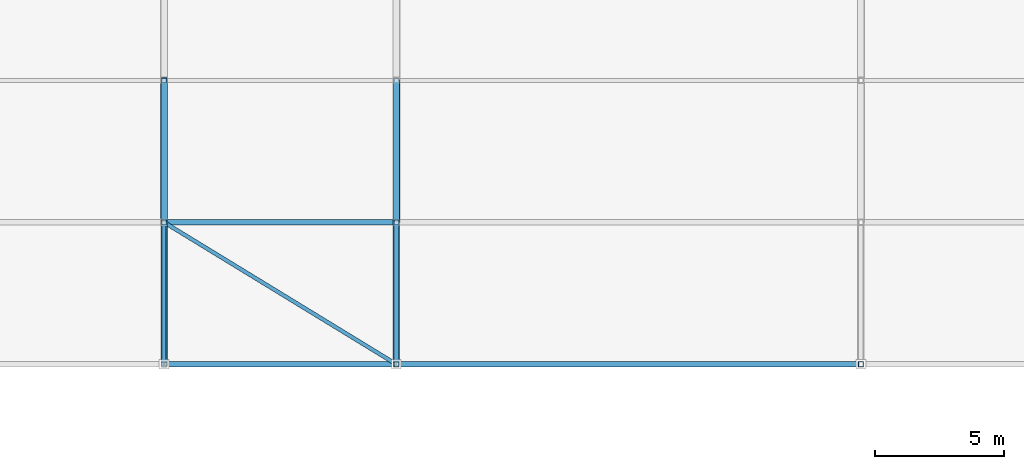
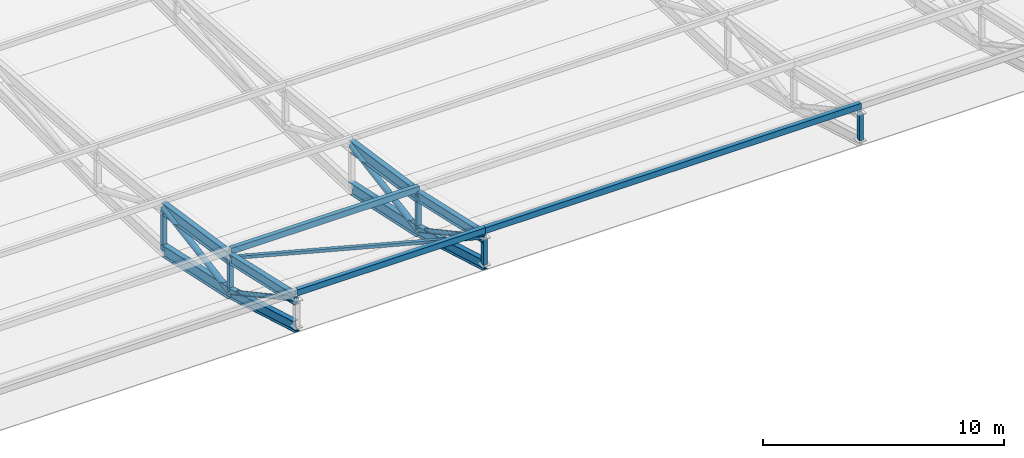
# One storey, part 36 of 114: 13 members, 8 beams.
"""IFC4 building model written with IfcOpenShell, lengths in metres."""

from ifc_helpers import new_model, si_unit, direction, frame, origin, origin_2d, place, context, subcontext, project, spatial, hollow_rectangle, hollow_circle, i_section, extrude, material, material_profile, profile_set, type_object, element, save


model = new_model("IFC4")

# Units and contexts
model_context = context("Model", 3, precision=1e-05, world=origin(), true_north=direction((0.0, 1.0)))
body_context = subcontext(model_context, "Body", "Model", "MODEL_VIEW")
ifc_project = project(units=[si_unit("LENGTHUNIT", "METRE"), si_unit("AREAUNIT", "SQUARE_METRE"), si_unit("VOLUMEUNIT", "CUBIC_METRE"), si_unit("PLANEANGLEUNIT", "RADIAN"), si_unit("MASSUNIT", "GRAM", prefix="KILO"), si_unit("THERMODYNAMICTEMPERATUREUNIT", "KELVIN"), si_unit("POWERUNIT", "WATT")], contexts=[model_context])

# Site, building, storey
site_placement = place(None, origin())
site = spatial("IfcSite", under=ifc_project, at=site_placement, CompositionType="ELEMENT")
building_placement = place(site_placement, origin())
building = spatial("IfcBuilding", under=site, at=building_placement, Name="Sindhuravela Promenade Stadium", CompositionType="ELEMENT")
storey_placement = place(building_placement, frame((0.0, 0.0, 24.0)))
storey = spatial("IfcBuildingStorey", under=building, at=storey_placement, Name="L05", CompositionType="ELEMENT", Elevation=24.0)

# Beams
ifc_material = material(Name="Steel E350 (IS 2062 E350BR)", Category="steel")
ifc_material_profile_1 = material_profile(ifc_material, i_section(OverallWidth=0.25, OverallDepth=0.5, WebThickness=0.010009765625, FlangeThickness=0.0146484375, FilletRadius=0.014892578125, at=origin_2d()), Name="ISWB 500")
ifc_profile_set_1 = profile_set([ifc_material_profile_1], Name="Steel E350 (IS 2062 E350BR)")
beam_type_1 = type_object("IfcBeamType", Name="ST-BM-WB500", PredefinedType="USERDEFINED", material=ifc_profile_set_1)
beam_1_placement = place(storey_placement, frame((99.0, 124.0, 3.169189453125), z_axis=(0.0, -0.9758669805330386, 0.2183658313595103), x_axis=(1.0, 0.0, 0.0)))
element("IfcBeam", 1, at=beam_1_placement, inside=storey, type_object=beam_type_1, Name="Roof truss RT-N04 top chord 5", ObjectType="ROOF TRUSS", PredefinedType="USERDEFINED", context=body_context, shape_type="SweptSolid", body=[
    extrude(i_section(OverallWidth=0.25, OverallDepth=0.5, WebThickness=0.010009765625, FlangeThickness=0.0146484375, FilletRadius=0.014892578125, at=origin_2d()), origin(), (0.0, 0.0, 1.0), 5.635986328125),
])
beam_2_placement = place(storey_placement, frame((99.0, 124.0, 1.419189453125), z_axis=(0.0, -0.9599274278129861, 0.28024869907342015), x_axis=(1.0, 0.0, 0.0)))
element("IfcBeam", 2, at=beam_2_placement, inside=storey, type_object=beam_type_1, Name="Roof truss RT-N04 bottom chord 5", ObjectType="ROOF TRUSS", PredefinedType="USERDEFINED", context=body_context, shape_type="SweptSolid", body=[
    extrude(i_section(OverallWidth=0.25, OverallDepth=0.5, WebThickness=0.010009765625, FlangeThickness=0.0146484375, FilletRadius=0.014892578125, at=origin_2d()), origin(), (0.0, 0.0, 1.0), 5.7294921875),
])
beam_3_placement = place(storey_placement, frame((108.0, 124.0, 3.169189453125), z_axis=(0.0, -0.9758669805330386, 0.2183658313595103), x_axis=(1.0, 0.0, 0.0)))
element("IfcBeam", 3, at=beam_3_placement, inside=storey, type_object=beam_type_1, Name="Roof truss RT-N05 top chord 5", ObjectType="ROOF TRUSS", PredefinedType="USERDEFINED", context=body_context, shape_type="SweptSolid", body=[
    extrude(i_section(OverallWidth=0.25, OverallDepth=0.5, WebThickness=0.010009765625, FlangeThickness=0.0146484375, FilletRadius=0.014892578125, at=origin_2d()), origin(), (0.0, 0.0, 1.0), 5.635986328125),
])
beam_4_placement = place(storey_placement, frame((108.0, 124.0, 1.419189453125), z_axis=(0.0, -0.9599274278129861, 0.28024869907342015), x_axis=(1.0, 0.0, 0.0)))
element("IfcBeam", 4, at=beam_4_placement, inside=storey, type_object=beam_type_1, Name="Roof truss RT-N05 bottom chord 5", ObjectType="ROOF TRUSS", PredefinedType="USERDEFINED", context=body_context, shape_type="SweptSolid", body=[
    extrude(i_section(OverallWidth=0.25, OverallDepth=0.5, WebThickness=0.010009765625, FlangeThickness=0.0146484375, FilletRadius=0.014892578125, at=origin_2d()), origin(), (0.0, 0.0, 1.0), 5.7294921875),
])
ifc_material_profile_2 = material_profile(ifc_material, i_section(OverallWidth=0.25, OverallDepth=0.60009765625, WebThickness=0.01171875, FlangeThickness=0.023681640625, FilletRadius=0.01708984375, at=origin_2d()), Name="ISWB 600")
ifc_profile_set_2 = profile_set([ifc_material_profile_2], Name="Steel E350 (IS 2062 E350BR)")
beam_type_2 = type_object("IfcBeamType", Name="ST-BM-WB600", PredefinedType="USERDEFINED", material=ifc_profile_set_2)
beam_5_placement = place(storey_placement, frame((99.0, 129.5, 2.3525390625), z_axis=(0.0, -0.9891555530237203, 0.14687168523012892), x_axis=(1.0, 0.0, 0.0)))
element("IfcBeam", 5, at=beam_5_placement, inside=storey, type_object=beam_type_2, Name="Roof truss RT-N04 top chord 4", ObjectType="ROOF TRUSS", PredefinedType="USERDEFINED", context=body_context, shape_type="SweptSolid", body=[
    extrude(i_section(OverallWidth=0.25, OverallDepth=0.60009765625, WebThickness=0.01171875, FlangeThickness=0.023681640625, FilletRadius=0.01708984375, at=origin_2d()), origin(), (0.0, 0.0, 1.0), 5.560302734375),
])
beam_6_placement = place(storey_placement, frame((99.0, 129.5, 0.2275390625), z_axis=(0.0, -0.9773237385626684, 0.21175058451368894), x_axis=(1.0, 0.0, 0.0)))
element("IfcBeam", 6, at=beam_6_placement, inside=storey, type_object=beam_type_2, Name="Roof truss RT-N04 bottom chord 4", ObjectType="ROOF TRUSS", PredefinedType="USERDEFINED", context=body_context, shape_type="SweptSolid", body=[
    extrude(i_section(OverallWidth=0.25, OverallDepth=0.60009765625, WebThickness=0.01171875, FlangeThickness=0.023681640625, FilletRadius=0.01708984375, at=origin_2d()), origin(), (0.0, 0.0, 1.0), 5.627685546875),
])
beam_7_placement = place(storey_placement, frame((108.0, 129.5, 2.3525390625), z_axis=(0.0, -0.9891555530237203, 0.14687168523012892), x_axis=(1.0, 0.0, 0.0)))
element("IfcBeam", 7, at=beam_7_placement, inside=storey, type_object=beam_type_2, Name="Roof truss RT-N05 top chord 4", ObjectType="ROOF TRUSS", PredefinedType="USERDEFINED", context=body_context, shape_type="SweptSolid", body=[
    extrude(i_section(OverallWidth=0.25, OverallDepth=0.60009765625, WebThickness=0.01171875, FlangeThickness=0.023681640625, FilletRadius=0.01708984375, at=origin_2d()), origin(), (0.0, 0.0, 1.0), 5.560302734375),
])
beam_8_placement = place(storey_placement, frame((108.0, 129.5, 0.2275390625), z_axis=(0.0, -0.9773237385626684, 0.21175058451368894), x_axis=(1.0, 0.0, 0.0)))
element("IfcBeam", 8, at=beam_8_placement, inside=storey, type_object=beam_type_2, Name="Roof truss RT-N05 bottom chord 4", ObjectType="ROOF TRUSS", PredefinedType="USERDEFINED", context=body_context, shape_type="SweptSolid", body=[
    extrude(i_section(OverallWidth=0.25, OverallDepth=0.60009765625, WebThickness=0.01171875, FlangeThickness=0.023681640625, FilletRadius=0.01708984375, at=origin_2d()), origin(), (0.0, 0.0, 1.0), 5.627685546875),
])

# Members
ifc_material_profile_3 = material_profile(ifc_material, hollow_circle(Radius=0.109619140625, WallThickness=0.010009765625, at=origin_2d()), Name="CHS 219.1x10")
ifc_profile_set_3 = profile_set([ifc_material_profile_3], Name="Steel E350 (IS 2062 E350BR)")
member_type_1 = type_object("IfcMemberType", Name="ST-MB-CHS219", PredefinedType="BRACE", material=ifc_profile_set_3)
for number, where, z_axis, x_axis, name in (
    (9, (99.0, 124.0, 1.419189453125), (0.0, -0.8791884339384995, 0.47647423605979855), (1.0, 0.0, 0.0), "Roof truss RT-N04 diagonal web 5"),
    (10, (108.0, 124.0, 1.419189453125), (0.0, -0.8791884339384995, 0.47647423605979855), (1.0, 0.0, 0.0), "Roof truss RT-N05 diagonal web 5"),
):
    element("IfcMember", number, at=place(storey_placement, frame(where, z_axis=z_axis, x_axis=x_axis)), inside=storey, type_object=member_type_1, Name=name, PredefinedType="BRACE", context=body_context, shape_type="SweptSolid", body=[
        extrude(hollow_circle(Radius=0.109619140625, WallThickness=0.010009765625, at=origin_2d()), origin(), (0.0, 0.0, 1.0), 6.255859375),
    ])
ifc_material_profile_4 = material_profile(ifc_material, hollow_circle(Radius=0.136474609375, WallThickness=0.010009765625, at=origin_2d()), Name="CHS 273.0x10")
ifc_profile_set_4 = profile_set([ifc_material_profile_4], Name="Steel E350 (IS 2062 E350BR)")
member_type_2 = type_object("IfcMemberType", Name="ST-MB-CHS273", PredefinedType="BRACE", material=ifc_profile_set_4)
for number, where, z_axis, x_axis, name in (
    (11, (99.0, 129.5, 2.3525390625), (0.0, -0.9859046851385784, -0.1673079550463772), (1.0, 0.0, 0.0), "Roof truss RT-N04 diagonal web 4"),
    (12, (108.0, 129.5, 2.3525390625), (0.0, -0.9859046851385784, -0.1673079550463772), (1.0, 0.0, 0.0), "Roof truss RT-N05 diagonal web 4"),
):
    element("IfcMember", number, at=place(storey_placement, frame(where, z_axis=z_axis, x_axis=x_axis)), inside=storey, type_object=member_type_2, Name=name, PredefinedType="BRACE", context=body_context, shape_type="SweptSolid", body=[
        extrude(hollow_circle(Radius=0.136474609375, WallThickness=0.010009765625, at=origin_2d()), origin(), (0.0, 0.0, 1.0), 5.57861328125),
    ])
ifc_material_profile_5 = material_profile(ifc_material, hollow_rectangle(XDim=0.199951171875, YDim=0.300048828125, WallThickness=0.010009765625, at=origin_2d()), Name="RHS 300x200x10")
ifc_profile_set_5 = profile_set([ifc_material_profile_5], Name="Steel E350 (IS 2062 E350BR)")
member_type_3 = type_object("IfcMemberType", Name="ST-MB-RHS300", PredefinedType="PURLIN", material=ifc_profile_set_5)
for number, where, z_axis, x_axis, name in (
    (13, (99.0, 124.0, 3.5361328125), (1.0, 0.0, 0.0), (0.0, 1.0, 0.0), "Roof purlin PR02 N bay 4.5"),
    (14, (99.0, 118.5, 4.76708984375), (1.0, 0.0, 0.0), (0.0, 1.0, 0.0), "Roof purlin PR02 N bay 4.6"),
):
    element("IfcMember", number, at=place(storey_placement, frame(where, z_axis=z_axis, x_axis=x_axis)), inside=storey, type_object=member_type_3, Name=name, PredefinedType="PURLIN", context=body_context, shape_type="SweptSolid", body=[
        extrude(hollow_rectangle(XDim=0.199951171875, YDim=0.300048828125, WallThickness=0.010009765625, at=origin_2d()), origin(), (0.0, 0.0, 1.0), 9.0),
    ])
member_1_placement = place(storey_placement, frame((108.0, 118.5, 4.76708984375), z_axis=(1.0, 0.0, 0.0), x_axis=(0.0, 1.0, 0.0)))
element("IfcMember", 15, at=member_1_placement, inside=storey, type_object=member_type_3, Name="Roof purlin PR02 N bay 5.6", PredefinedType="PURLIN", context=body_context, shape_type="SweptSolid", body=[
    extrude(hollow_rectangle(XDim=0.199951171875, YDim=0.300048828125, WallThickness=0.010009765625, at=origin_2d()), origin(), (0.0, 0.0, 1.0), 18.0),
])
ifc_material_profile_6 = material_profile(ifc_material, hollow_rectangle(XDim=0.14990234375, YDim=0.14990234375, WallThickness=0.008056640625, at=origin_2d()), Name="SHS 150x150x8")
ifc_profile_set_6 = profile_set([ifc_material_profile_6], Name="Steel E350 (IS 2062 E350BR)")
member_type_4 = type_object("IfcMemberType", Name="ST-MB-SHS150", PredefinedType="BRACE", material=ifc_profile_set_6)
member_2_placement = place(storey_placement, frame((99.0, 124.0, 3.169189453125), z_axis=(0.847531821378452, -0.5179361130646095, 0.11589648197614952), x_axis=(0.5214500094539749, 0.853281833651959, 0.0)))
element("IfcMember", 16, at=member_2_placement, inside=storey, type_object=member_type_4, Name="Roof wind brace MB01 N bay 4", PredefinedType="BRACE", context=body_context, shape_type="SweptSolid", body=[
    extrude(hollow_rectangle(XDim=0.14990234375, YDim=0.14990234375, WallThickness=0.008056640625, at=origin_2d()), origin(), (0.0, 0.0, 1.0), 10.619140625),
])
ifc_material_profile_7 = material_profile(ifc_material, hollow_rectangle(XDim=0.199951171875, YDim=0.199951171875, WallThickness=0.010009765625, at=origin_2d()), Name="SHS 200x200x10")
ifc_profile_set_7 = profile_set([ifc_material_profile_7], Name="Steel E350 (IS 2062 E350BR)")
member_type_5 = type_object("IfcMemberType", Name="ST-MB-SHS200", PredefinedType="POST", material=ifc_profile_set_7)
member_3_placement = place(storey_placement, frame((99.0, 129.5, 0.2275390625), z_axis=(0.0, 0.0, 1.0), x_axis=(1.0, 0.0, 0.0)))
element("IfcMember", 17, at=member_3_placement, inside=storey, type_object=member_type_5, Name="Roof truss RT-N04 vertical post 4", PredefinedType="POST", context=body_context, shape_type="SweptSolid", body=[
    extrude(hollow_rectangle(XDim=0.199951171875, YDim=0.199951171875, WallThickness=0.010009765625, at=origin_2d()), origin(), (0.0, 0.0, 1.0), 2.125),
])
for number, where, z_axis, x_axis, name in (
    (18, (99.0, 124.0, 1.419189453125), (0.0, 0.0, 1.0), (1.0, 0.0, 0.0), "Roof truss RT-N04 vertical post 5"),
    (19, (108.0, 124.0, 1.419189453125), (0.0, 0.0, 1.0), (1.0, 0.0, 0.0), "Roof truss RT-N05 vertical post 5"),
):
    element("IfcMember", number, at=place(storey_placement, frame(where, z_axis=z_axis, x_axis=x_axis)), inside=storey, type_object=member_type_5, Name=name, PredefinedType="POST", context=body_context, shape_type="SweptSolid", body=[
        extrude(hollow_rectangle(XDim=0.199951171875, YDim=0.199951171875, WallThickness=0.010009765625, at=origin_2d()), origin(), (0.0, 0.0, 1.0), 1.75),
    ])
for number, where, z_axis, x_axis, name in (
    (20, (108.0, 118.5, 3.02490234375), (0.0, 0.0, 1.0), (1.0, 0.0, 0.0), "Roof truss RT-N05 vertical post 6"),
    (21, (126.0, 118.5, 3.02490234375), (0.0, 0.0, 1.0), (1.0, 0.0, 0.0), "Roof truss RT-N06 vertical post 6"),
):
    element("IfcMember", number, at=place(storey_placement, frame(where, z_axis=z_axis, x_axis=x_axis)), inside=storey, type_object=member_type_5, Name=name, PredefinedType="POST", context=body_context, shape_type="SweptSolid", body=[
        extrude(hollow_rectangle(XDim=0.199951171875, YDim=0.199951171875, WallThickness=0.010009765625, at=origin_2d()), origin(), (0.0, 0.0, 1.0), 1.375),
    ])

save(model, "model.ifc")
